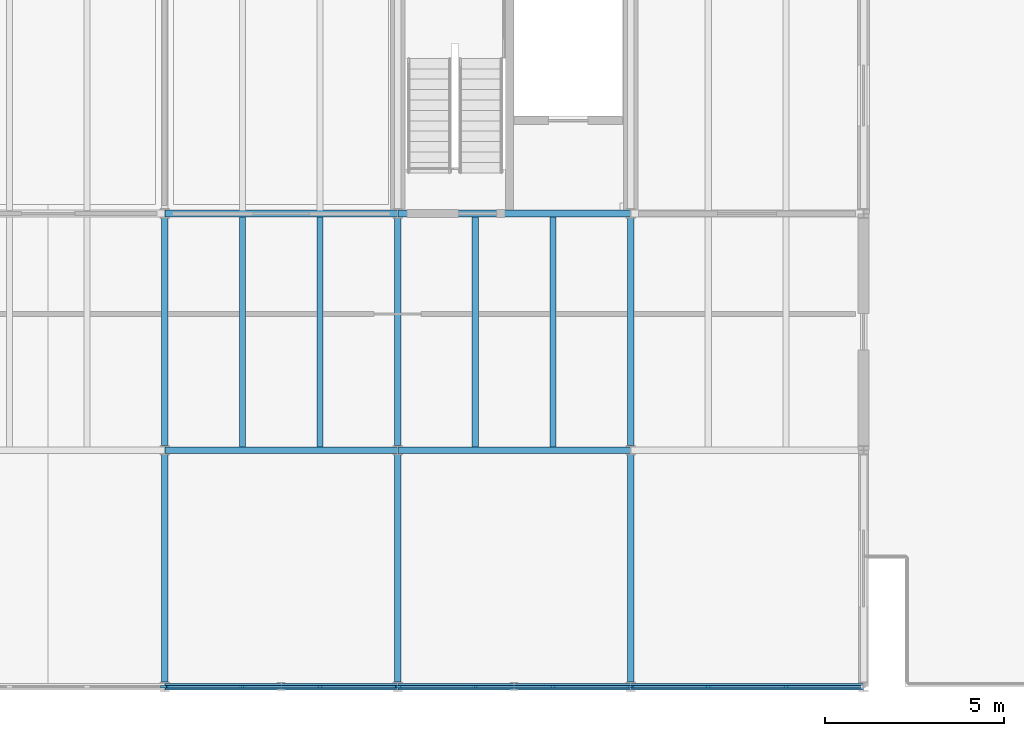
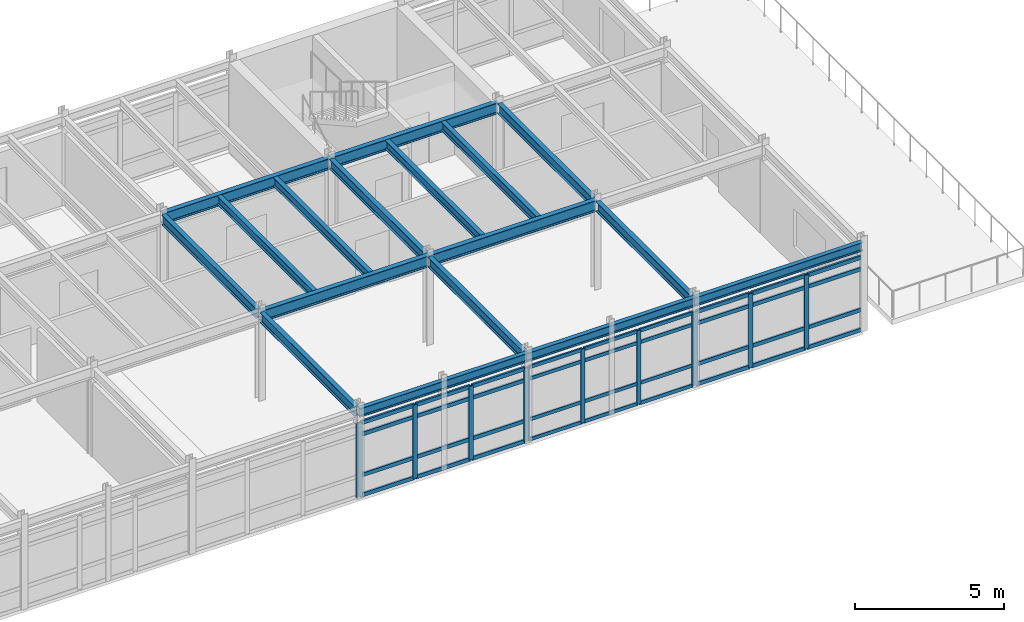
# One storey, part 11 of 26: 48 members, 17 beams, 4 elements without a shape of their own.
"""IFC4 building model written with IfcOpenShell, lengths in metres."""

from ifc_helpers import new_model, si_unit, direction, frame, origin, origin_2d, place, context, subcontext, project, spatial, rectangle, i_section, extrude, material, layer, layer_set, material_profile, profile_set, type_object, element, aggregate, save


model = new_model("IFC4")

# Units and contexts
model_context = context("Model", 3, precision=1e-05, world=origin(), true_north=direction((0.0, 1.0)))
body_context = subcontext(model_context, "Body", "Model", "MODEL_VIEW")
ifc_project = project(units=[si_unit("LENGTHUNIT", "METRE"), si_unit("AREAUNIT", "SQUARE_METRE"), si_unit("VOLUMEUNIT", "CUBIC_METRE"), si_unit("PLANEANGLEUNIT", "RADIAN"), si_unit("MASSUNIT", "GRAM", prefix="KILO")], contexts=[model_context])

# Site, building, storey
site_placement = place(None, origin())
site = spatial("IfcSite", under=ifc_project, at=site_placement, CompositionType="ELEMENT")
building_placement = place(site_placement, origin())
building = spatial("IfcBuilding", under=site, at=building_placement, Name="Trelmorton Wharf Fire Station", CompositionType="ELEMENT")
storey_placement = place(building_placement, frame((0.0, 0.0, 17.39990234375)))
storey = spatial("IfcBuildingStorey", under=building, at=storey_placement, Name="L04", CompositionType="ELEMENT", Elevation=17.39990234375)

# Beams
ifc_material_1 = material(Name="Steel Grade 350", Category="steel")
ifc_material_profile_1 = material_profile(ifc_material_1, i_section(OverallWidth=0.177978515625, OverallDepth=0.406005859375, WebThickness=0.0078125, FlangeThickness=0.0126953125, FilletRadius=0.011474609375, at=origin_2d()), Name="410UB59.7")
ifc_profile_set_1 = profile_set([ifc_material_profile_1], Name="Steel Grade 350")
beam_type_1 = type_object("IfcBeamType", Name="BM_410UB60", PredefinedType="BEAM", material=ifc_profile_set_1)
beam_1_placement = place(storey_placement, frame((136.5, 7.926025390625, 3.427001953125), z_axis=(0.0, 1.0, 0.0), x_axis=(-1.0, 0.0, 0.0)))
element("IfcBeam", 1, at=beam_1_placement, inside=storey, type_object=beam_type_1, Name="BM-L04-1112", PredefinedType="BEAM", context=body_context, shape_type="SweptSolid", body=[
    extrude(i_section(OverallWidth=0.177978515625, OverallDepth=0.406005859375, WebThickness=0.0078125, FlangeThickness=0.0126953125, FilletRadius=0.011474609375, at=origin_2d()), origin(), (0.0, 0.0, 1.0), 6.347900390625),
])
beam_2_placement = place(storey_placement, frame((136.5, 14.52587890625, 3.427001953125), z_axis=(0.0, 1.0, 0.0), x_axis=(-1.0, 0.0, 0.0)))
element("IfcBeam", 2, at=beam_2_placement, inside=storey, type_object=beam_type_1, Name="BM-L04-1113", PredefinedType="BEAM", context=body_context, shape_type="SweptSolid", body=[
    extrude(i_section(OverallWidth=0.177978515625, OverallDepth=0.406005859375, WebThickness=0.0078125, FlangeThickness=0.0126953125, FilletRadius=0.011474609375, at=origin_2d()), origin(), (0.0, 0.0, 1.0), 6.34814453125),
])
beam_3_placement = place(storey_placement, frame((143.0, 7.926025390625, 3.427001953125), z_axis=(0.0, 1.0, 0.0), x_axis=(-1.0, 0.0, 0.0)))
element("IfcBeam", 3, at=beam_3_placement, inside=storey, type_object=beam_type_1, Name="BM-L04-1115", PredefinedType="BEAM", context=body_context, shape_type="SweptSolid", body=[
    extrude(i_section(OverallWidth=0.177978515625, OverallDepth=0.406005859375, WebThickness=0.0078125, FlangeThickness=0.0126953125, FilletRadius=0.011474609375, at=origin_2d()), origin(), (0.0, 0.0, 1.0), 6.347900390625),
])
beam_4_placement = place(storey_placement, frame((143.0, 14.52587890625, 3.427001953125), z_axis=(0.0, 1.0, 0.0), x_axis=(-1.0, 0.0, 0.0)))
element("IfcBeam", 4, at=beam_4_placement, inside=storey, type_object=beam_type_1, Name="BM-L04-1116", PredefinedType="BEAM", context=body_context, shape_type="SweptSolid", body=[
    extrude(i_section(OverallWidth=0.177978515625, OverallDepth=0.406005859375, WebThickness=0.0078125, FlangeThickness=0.0126953125, FilletRadius=0.011474609375, at=origin_2d()), origin(), (0.0, 0.0, 1.0), 6.34814453125),
])
beam_5_placement = place(storey_placement, frame((149.5, 7.926025390625, 3.427001953125), z_axis=(0.0, 1.0, 0.0), x_axis=(-1.0, 0.0, 0.0)))
element("IfcBeam", 5, at=beam_5_placement, inside=storey, type_object=beam_type_1, Name="BM-L04-1118", PredefinedType="BEAM", context=body_context, shape_type="SweptSolid", body=[
    extrude(i_section(OverallWidth=0.177978515625, OverallDepth=0.406005859375, WebThickness=0.0078125, FlangeThickness=0.0126953125, FilletRadius=0.011474609375, at=origin_2d()), origin(), (0.0, 0.0, 1.0), 6.347900390625),
])
beam_6_placement = place(storey_placement, frame((149.5, 14.52587890625, 3.427001953125), z_axis=(0.0, 1.0, 0.0), x_axis=(-1.0, 0.0, 0.0)))
element("IfcBeam", 6, at=beam_6_placement, inside=storey, type_object=beam_type_1, Name="BM-L04-1119", PredefinedType="BEAM", context=body_context, shape_type="SweptSolid", body=[
    extrude(i_section(OverallWidth=0.177978515625, OverallDepth=0.406005859375, WebThickness=0.0078125, FlangeThickness=0.0126953125, FilletRadius=0.011474609375, at=origin_2d()), origin(), (0.0, 0.0, 1.0), 6.34814453125),
])
ifc_material_profile_2 = material_profile(ifc_material_1, i_section(OverallWidth=0.18994140625, OverallDepth=0.45703125, WebThickness=0.009033203125, FlangeThickness=0.014404296875, FilletRadius=0.011474609375, at=origin_2d()), Name="460UB74.6")
ifc_profile_set_2 = profile_set([ifc_material_profile_2], Name="Steel Grade 350")
beam_type_2 = type_object("IfcBeamType", Name="BM_460UB75", PredefinedType="BEAM", material=ifc_profile_set_2)
for number, where, z_axis, x_axis, name in (
    (7, (136.50390625, 14.39990234375, 3.401611328125), (1.0, 0.0, 0.0), (0.0, 1.0, 0.0), "BM-L04-1045"),
    (8, (143.00390625, 14.39990234375, 3.401611328125), (1.0, 0.0, 0.0), (0.0, 1.0, 0.0), "BM-L04-1046"),
    (9, (136.50390625, 21.0, 3.401611328125), (1.0, 0.0, 0.0), (0.0, 1.0, 0.0), "BM-L04-1052"),
    (10, (143.00390625, 21.0, 3.401611328125), (1.0, 0.0, 0.0), (0.0, 1.0, 0.0), "BM-L04-1053"),
):
    element("IfcBeam", number, at=place(storey_placement, frame(where, z_axis=z_axis, x_axis=x_axis)), inside=storey, type_object=beam_type_2, Name=name, PredefinedType="BEAM", context=body_context, shape_type="SweptSolid", body=[
        extrude(i_section(OverallWidth=0.18994140625, OverallDepth=0.45703125, WebThickness=0.009033203125, FlangeThickness=0.014404296875, FilletRadius=0.011474609375, at=origin_2d()), origin(), (0.0, 0.0, 1.0), 6.4921875),
    ])

# Curtain wall, member
ifc_material_2 = material(Name="Anodised aluminium AW-6063", Category="aluminium")
ifc_layer_1 = layer(ifc_material_2, 0.175048828125)
ifc_layer_set_1 = layer_set([ifc_layer_1], Name="Anodised aluminium AW-6063")
curtain_wall_type_1 = type_object("IfcCurtainWallType", Name="CW_CHIC_B", PredefinedType="USERDEFINED", material=ifc_layer_set_1)
curtain_wall_1_placement = place(storey_placement, origin())
curtain_wall_1 = element("IfcCurtainWall", 11, at=curtain_wall_1_placement, inside=storey, type_object=curtain_wall_type_1, Name="CW-V5-L04-075", ObjectType="CHICAGO BAY CURTAIN WALL", PredefinedType="USERDEFINED")
ifc_material_profile_3 = material_profile(ifc_material_2, rectangle(XDim=0.06494140625, YDim=0.159912109375, at=origin_2d()), Name="ALU-65x160")
ifc_profile_set_3 = profile_set([ifc_material_profile_3], Name="Anodised aluminium AW-6063")
member_type_1 = type_object("IfcMemberType", Name="CWM_65x160", PredefinedType="MULLION", material=ifc_profile_set_3)
member_1_placement = place(storey_placement, frame((136.465087890625, 7.800048828125, 0.0), z_axis=(0.0, 0.0, 1.0), x_axis=(0.0, -1.0, 0.0)))
member_1 = element("IfcMember", 12, at=member_1_placement, type_object=member_type_1, Name="CW2 mullion 1", PredefinedType="MULLION", context=body_context, shape_type="SweptSolid", body=[
    extrude(rectangle(XDim=0.06494140625, YDim=0.159912109375, at=origin_2d()), origin(), (0.0, 0.0, 1.0), 3.02001953125),
])
aggregate(curtain_wall_1, [member_1])

# Curtain wall, members
curtain_wall_2_placement = place(storey_placement, origin())
curtain_wall_2 = element("IfcCurtainWall", 13, at=curtain_wall_2_placement, inside=storey, type_object=curtain_wall_type_1, Name="CW-V5-L04-077", ObjectType="CHICAGO BAY CURTAIN WALL", PredefinedType="USERDEFINED")
member_2_placement = place(storey_placement, frame((149.465087890625, 7.800048828125, 0.0), z_axis=(0.0, 0.0, 1.0), x_axis=(0.0, -1.0, 0.0)))
member_2 = element("IfcMember", 14, at=member_2_placement, type_object=member_type_1, Name="CW2 mullion 1", PredefinedType="MULLION", context=body_context, shape_type="SweptSolid", body=[
    extrude(rectangle(XDim=0.06494140625, YDim=0.159912109375, at=origin_2d()), origin(), (0.0, 0.0, 1.0), 3.02001953125),
])
member_3_placement = place(storey_placement, frame((147.331787109375, 7.800048828125, 0.0), z_axis=(0.0, 0.0, 1.0), x_axis=(0.0, -1.0, 0.0)))
member_3 = element("IfcMember", 15, at=member_3_placement, type_object=member_type_1, Name="CW2 mullion 2", PredefinedType="MULLION", context=body_context, shape_type="SweptSolid", body=[
    extrude(rectangle(XDim=0.06494140625, YDim=0.159912109375, at=origin_2d()), origin(), (0.0, 0.0, 1.0), 3.02001953125),
])
member_4_placement = place(storey_placement, frame((145.168212890625, 7.800048828125, 0.0), z_axis=(0.0, 0.0, 1.0), x_axis=(0.0, -1.0, 0.0)))
member_4 = element("IfcMember", 16, at=member_4_placement, type_object=member_type_1, Name="CW2 mullion 3", PredefinedType="MULLION", context=body_context, shape_type="SweptSolid", body=[
    extrude(rectangle(XDim=0.06494140625, YDim=0.159912109375, at=origin_2d()), origin(), (0.0, 0.0, 1.0), 3.02001953125),
])
member_5_placement = place(storey_placement, frame((143.034912109375, 7.800048828125, 0.0), z_axis=(0.0, 0.0, 1.0), x_axis=(0.0, -1.0, 0.0)))
member_5 = element("IfcMember", 17, at=member_5_placement, type_object=member_type_1, Name="CW2 mullion 4", PredefinedType="MULLION", context=body_context, shape_type="SweptSolid", body=[
    extrude(rectangle(XDim=0.06494140625, YDim=0.159912109375, at=origin_2d()), origin(), (0.0, 0.0, 1.0), 3.02001953125),
])

ifc_layer_2 = layer(ifc_material_2, 0.159912109375)
ifc_layer_set_2 = layer_set([ifc_layer_2], Name="Anodised aluminium AW-6063")
curtain_wall_type_2 = type_object("IfcCurtainWallType", Name="CW_CHIC_A", PredefinedType="USERDEFINED", material=ifc_layer_set_2)
curtain_wall_3_placement = place(storey_placement, origin())
curtain_wall_3 = element("IfcCurtainWall", 18, at=curtain_wall_3_placement, inside=storey, type_object=curtain_wall_type_2, Name="CW-V5-L04-076", ObjectType="CHICAGO BAY CURTAIN WALL", PredefinedType="USERDEFINED")
ifc_material_profile_4 = material_profile(ifc_material_2, rectangle(XDim=0.074951171875, YDim=0.175048828125, at=origin_2d()), Name="ALU-75x175")
ifc_profile_set_4 = profile_set([ifc_material_profile_4], Name="Anodised aluminium AW-6063")
member_type_2 = type_object("IfcMemberType", Name="CWM_75x175", PredefinedType="MULLION", material=ifc_profile_set_4)
member_6_placement = place(storey_placement, frame((142.965087890625, 7.800048828125, 0.0), z_axis=(0.0, 0.0, 1.0), x_axis=(0.0, -1.0, 0.0)))
member_6 = element("IfcMember", 19, at=member_6_placement, type_object=member_type_2, Name="CW1 mullion 1", PredefinedType="MULLION", context=body_context, shape_type="SweptSolid", body=[
    extrude(rectangle(XDim=0.074951171875, YDim=0.175048828125, at=origin_2d()), origin(), (0.0, 0.0, 1.0), 3.02001953125),
])
member_7_placement = place(storey_placement, frame((140.831787109375, 7.800048828125, 0.0), z_axis=(0.0, 0.0, 1.0), x_axis=(0.0, -1.0, 0.0)))
member_7 = element("IfcMember", 20, at=member_7_placement, type_object=member_type_2, Name="CW1 mullion 2", PredefinedType="MULLION", context=body_context, shape_type="SweptSolid", body=[
    extrude(rectangle(XDim=0.074951171875, YDim=0.175048828125, at=origin_2d()), origin(), (0.0, 0.0, 1.0), 3.02001953125),
])
member_8_placement = place(storey_placement, frame((138.668212890625, 7.800048828125, 0.0), z_axis=(0.0, 0.0, 1.0), x_axis=(0.0, -1.0, 0.0)))
member_8 = element("IfcMember", 21, at=member_8_placement, type_object=member_type_2, Name="CW1 mullion 3", PredefinedType="MULLION", context=body_context, shape_type="SweptSolid", body=[
    extrude(rectangle(XDim=0.074951171875, YDim=0.175048828125, at=origin_2d()), origin(), (0.0, 0.0, 1.0), 3.02001953125),
])
member_9_placement = place(storey_placement, frame((136.534912109375, 7.800048828125, 0.0), z_axis=(0.0, 0.0, 1.0), x_axis=(0.0, -1.0, 0.0)))
member_9 = element("IfcMember", 22, at=member_9_placement, type_object=member_type_2, Name="CW1 mullion 4", PredefinedType="MULLION", context=body_context, shape_type="SweptSolid", body=[
    extrude(rectangle(XDim=0.074951171875, YDim=0.175048828125, at=origin_2d()), origin(), (0.0, 0.0, 1.0), 3.02001953125),
])

curtain_wall_4_placement = place(storey_placement, origin())
curtain_wall_4 = element("IfcCurtainWall", 23, at=curtain_wall_4_placement, inside=storey, type_object=curtain_wall_type_2, Name="CW-V5-L04-078", ObjectType="CHICAGO BAY CURTAIN WALL", PredefinedType="USERDEFINED")
member_10_placement = place(storey_placement, frame((153.831787109375, 7.800048828125, 0.0), z_axis=(0.0, 0.0, 1.0), x_axis=(0.0, -1.0, 0.0)))
member_10 = element("IfcMember", 24, at=member_10_placement, type_object=member_type_2, Name="CW1 mullion 2", PredefinedType="MULLION", context=body_context, shape_type="SweptSolid", body=[
    extrude(rectangle(XDim=0.074951171875, YDim=0.175048828125, at=origin_2d()), origin(), (0.0, 0.0, 1.0), 3.02001953125),
])
member_11_placement = place(storey_placement, frame((151.668212890625, 7.800048828125, 0.0), z_axis=(0.0, 0.0, 1.0), x_axis=(0.0, -1.0, 0.0)))
member_11 = element("IfcMember", 25, at=member_11_placement, type_object=member_type_2, Name="CW1 mullion 3", PredefinedType="MULLION", context=body_context, shape_type="SweptSolid", body=[
    extrude(rectangle(XDim=0.074951171875, YDim=0.175048828125, at=origin_2d()), origin(), (0.0, 0.0, 1.0), 3.02001953125),
])
member_12_placement = place(storey_placement, frame((149.534912109375, 7.800048828125, 0.0), z_axis=(0.0, 0.0, 1.0), x_axis=(0.0, -1.0, 0.0)))
member_12 = element("IfcMember", 26, at=member_12_placement, type_object=member_type_2, Name="CW1 mullion 4", PredefinedType="MULLION", context=body_context, shape_type="SweptSolid", body=[
    extrude(rectangle(XDim=0.074951171875, YDim=0.175048828125, at=origin_2d()), origin(), (0.0, 0.0, 1.0), 3.02001953125),
])

# Member
ifc_material_profile_5 = material_profile(ifc_material_2, rectangle(XDim=0.06494140625, YDim=0.139892578125, at=origin_2d()), Name="ALU-65x140")
ifc_profile_set_5 = profile_set([ifc_material_profile_5], Name="Anodised aluminium AW-6063")
member_type_3 = type_object("IfcMemberType", Name="CWT_65x140", PredefinedType="USERDEFINED", material=ifc_profile_set_5)
member_13_placement = place(storey_placement, frame((149.43505859375, 7.800048828125, 0.030029296875), z_axis=(-1.0, 0.0, 0.0), x_axis=(0.0, -1.0, 0.0)))
member_13 = element("IfcMember", 27, at=member_13_placement, type_object=member_type_3, Name="CW2 transom 1.1", ObjectType="TRANSOM", PredefinedType="USERDEFINED", context=body_context, shape_type="SweptSolid", body=[
    extrude(rectangle(XDim=0.06494140625, YDim=0.139892578125, at=origin_2d()), origin(), (0.0, 0.0, 1.0), 2.073486328125),
])

member_14_placement = place(storey_placement, frame((149.43505859375, 7.800048828125, 0.85009765625), z_axis=(-1.0, 0.0, 0.0), x_axis=(0.0, -1.0, 0.0)))
member_14 = element("IfcMember", 28, at=member_14_placement, type_object=member_type_3, Name="CW2 transom 1.2", ObjectType="TRANSOM", PredefinedType="USERDEFINED", context=body_context, shape_type="SweptSolid", body=[
    extrude(rectangle(XDim=0.06494140625, YDim=0.139892578125, at=origin_2d()), origin(), (0.0, 0.0, 1.0), 2.073486328125),
])

member_15_placement = place(storey_placement, frame((149.43505859375, 7.800048828125, 2.52001953125), z_axis=(-1.0, 0.0, 0.0), x_axis=(0.0, -1.0, 0.0)))
member_15 = element("IfcMember", 29, at=member_15_placement, type_object=member_type_3, Name="CW2 transom 1.3", ObjectType="TRANSOM", PredefinedType="USERDEFINED", context=body_context, shape_type="SweptSolid", body=[
    extrude(rectangle(XDim=0.06494140625, YDim=0.139892578125, at=origin_2d()), origin(), (0.0, 0.0, 1.0), 2.073486328125),
])

member_16_placement = place(storey_placement, frame((149.43505859375, 7.800048828125, 2.989990234375), z_axis=(-1.0, 0.0, 0.0), x_axis=(0.0, -1.0, 0.0)))
member_16 = element("IfcMember", 30, at=member_16_placement, type_object=member_type_3, Name="CW2 transom 1.4", ObjectType="TRANSOM", PredefinedType="USERDEFINED", context=body_context, shape_type="SweptSolid", body=[
    extrude(rectangle(XDim=0.06494140625, YDim=0.139892578125, at=origin_2d()), origin(), (0.0, 0.0, 1.0), 2.073486328125),
])

member_17_placement = place(storey_placement, frame((147.3017578125, 7.800048828125, 0.030029296875), z_axis=(-1.0, 0.0, 0.0), x_axis=(0.0, -1.0, 0.0)))
member_17 = element("IfcMember", 31, at=member_17_placement, type_object=member_type_3, Name="CW2 transom 2.1", ObjectType="TRANSOM", PredefinedType="USERDEFINED", context=body_context, shape_type="SweptSolid", body=[
    extrude(rectangle(XDim=0.06494140625, YDim=0.139892578125, at=origin_2d()), origin(), (0.0, 0.0, 1.0), 2.103515625),
])

member_18_placement = place(storey_placement, frame((147.3017578125, 7.800048828125, 0.85009765625), z_axis=(-1.0, 0.0, 0.0), x_axis=(0.0, -1.0, 0.0)))
member_18 = element("IfcMember", 32, at=member_18_placement, type_object=member_type_3, Name="CW2 transom 2.2", ObjectType="TRANSOM", PredefinedType="USERDEFINED", context=body_context, shape_type="SweptSolid", body=[
    extrude(rectangle(XDim=0.06494140625, YDim=0.139892578125, at=origin_2d()), origin(), (0.0, 0.0, 1.0), 2.103515625),
])

member_19_placement = place(storey_placement, frame((147.3017578125, 7.800048828125, 2.52001953125), z_axis=(-1.0, 0.0, 0.0), x_axis=(0.0, -1.0, 0.0)))
member_19 = element("IfcMember", 33, at=member_19_placement, type_object=member_type_3, Name="CW2 transom 2.3", ObjectType="TRANSOM", PredefinedType="USERDEFINED", context=body_context, shape_type="SweptSolid", body=[
    extrude(rectangle(XDim=0.06494140625, YDim=0.139892578125, at=origin_2d()), origin(), (0.0, 0.0, 1.0), 2.103515625),
])

member_20_placement = place(storey_placement, frame((147.3017578125, 7.800048828125, 2.989990234375), z_axis=(-1.0, 0.0, 0.0), x_axis=(0.0, -1.0, 0.0)))
member_20 = element("IfcMember", 34, at=member_20_placement, type_object=member_type_3, Name="CW2 transom 2.4", ObjectType="TRANSOM", PredefinedType="USERDEFINED", context=body_context, shape_type="SweptSolid", body=[
    extrude(rectangle(XDim=0.06494140625, YDim=0.139892578125, at=origin_2d()), origin(), (0.0, 0.0, 1.0), 2.103515625),
])

member_21_placement = place(storey_placement, frame((145.138427734375, 7.800048828125, 0.030029296875), z_axis=(-1.0, 0.0, 0.0), x_axis=(0.0, -1.0, 0.0)))
member_21 = element("IfcMember", 35, at=member_21_placement, type_object=member_type_3, Name="CW2 transom 3.1", ObjectType="TRANSOM", PredefinedType="USERDEFINED", context=body_context, shape_type="SweptSolid", body=[
    extrude(rectangle(XDim=0.06494140625, YDim=0.139892578125, at=origin_2d()), origin(), (0.0, 0.0, 1.0), 2.073486328125),
])

member_22_placement = place(storey_placement, frame((145.138427734375, 7.800048828125, 0.85009765625), z_axis=(-1.0, 0.0, 0.0), x_axis=(0.0, -1.0, 0.0)))
member_22 = element("IfcMember", 36, at=member_22_placement, type_object=member_type_3, Name="CW2 transom 3.2", ObjectType="TRANSOM", PredefinedType="USERDEFINED", context=body_context, shape_type="SweptSolid", body=[
    extrude(rectangle(XDim=0.06494140625, YDim=0.139892578125, at=origin_2d()), origin(), (0.0, 0.0, 1.0), 2.073486328125),
])

member_23_placement = place(storey_placement, frame((145.138427734375, 7.800048828125, 2.52001953125), z_axis=(-1.0, 0.0, 0.0), x_axis=(0.0, -1.0, 0.0)))
member_23 = element("IfcMember", 37, at=member_23_placement, type_object=member_type_3, Name="CW2 transom 3.3", ObjectType="TRANSOM", PredefinedType="USERDEFINED", context=body_context, shape_type="SweptSolid", body=[
    extrude(rectangle(XDim=0.06494140625, YDim=0.139892578125, at=origin_2d()), origin(), (0.0, 0.0, 1.0), 2.073486328125),
])

member_24_placement = place(storey_placement, frame((145.138427734375, 7.800048828125, 2.989990234375), z_axis=(-1.0, 0.0, 0.0), x_axis=(0.0, -1.0, 0.0)))
member_24 = element("IfcMember", 38, at=member_24_placement, type_object=member_type_3, Name="CW2 transom 3.4", ObjectType="TRANSOM", PredefinedType="USERDEFINED", context=body_context, shape_type="SweptSolid", body=[
    extrude(rectangle(XDim=0.06494140625, YDim=0.139892578125, at=origin_2d()), origin(), (0.0, 0.0, 1.0), 2.073486328125),
])

aggregate(curtain_wall_2, [member_2, member_3, member_4, member_5, member_13, member_14, member_15, member_16, member_17, member_18, member_19, member_20, member_21, member_22, member_23, member_24])

ifc_material_profile_6 = material_profile(ifc_material_2, rectangle(XDim=0.074951171875, YDim=0.155029296875, at=origin_2d()), Name="ALU-75x155")
ifc_profile_set_6 = profile_set([ifc_material_profile_6], Name="Anodised aluminium AW-6063")
member_type_4 = type_object("IfcMemberType", Name="CWT_75x155", PredefinedType="USERDEFINED", material=ifc_profile_set_6)
member_25_placement = place(storey_placement, frame((142.93505859375, 7.800048828125, 0.030029296875), z_axis=(-1.0, 0.0, 0.0), x_axis=(0.0, -1.0, 0.0)))
member_25 = element("IfcMember", 39, at=member_25_placement, type_object=member_type_4, Name="CW1 transom 1.1", ObjectType="TRANSOM", PredefinedType="USERDEFINED", context=body_context, shape_type="SweptSolid", body=[
    extrude(rectangle(XDim=0.074951171875, YDim=0.155029296875, at=origin_2d()), origin(), (0.0, 0.0, 1.0), 2.073486328125),
])

member_26_placement = place(storey_placement, frame((142.93505859375, 7.800048828125, 0.85009765625), z_axis=(-1.0, 0.0, 0.0), x_axis=(0.0, -1.0, 0.0)))
member_26 = element("IfcMember", 40, at=member_26_placement, type_object=member_type_4, Name="CW1 transom 1.2", ObjectType="TRANSOM", PredefinedType="USERDEFINED", context=body_context, shape_type="SweptSolid", body=[
    extrude(rectangle(XDim=0.074951171875, YDim=0.155029296875, at=origin_2d()), origin(), (0.0, 0.0, 1.0), 2.073486328125),
])

member_27_placement = place(storey_placement, frame((142.93505859375, 7.800048828125, 2.52001953125), z_axis=(-1.0, 0.0, 0.0), x_axis=(0.0, -1.0, 0.0)))
member_27 = element("IfcMember", 41, at=member_27_placement, type_object=member_type_4, Name="CW1 transom 1.3", ObjectType="TRANSOM", PredefinedType="USERDEFINED", context=body_context, shape_type="SweptSolid", body=[
    extrude(rectangle(XDim=0.074951171875, YDim=0.155029296875, at=origin_2d()), origin(), (0.0, 0.0, 1.0), 2.073486328125),
])

member_28_placement = place(storey_placement, frame((142.93505859375, 7.800048828125, 2.989990234375), z_axis=(-1.0, 0.0, 0.0), x_axis=(0.0, -1.0, 0.0)))
member_28 = element("IfcMember", 42, at=member_28_placement, type_object=member_type_4, Name="CW1 transom 1.4", ObjectType="TRANSOM", PredefinedType="USERDEFINED", context=body_context, shape_type="SweptSolid", body=[
    extrude(rectangle(XDim=0.074951171875, YDim=0.155029296875, at=origin_2d()), origin(), (0.0, 0.0, 1.0), 2.073486328125),
])

member_29_placement = place(storey_placement, frame((140.8017578125, 7.800048828125, 0.030029296875), z_axis=(-1.0, 0.0, 0.0), x_axis=(0.0, -1.0, 0.0)))
member_29 = element("IfcMember", 43, at=member_29_placement, type_object=member_type_4, Name="CW1 transom 2.1", ObjectType="TRANSOM", PredefinedType="USERDEFINED", context=body_context, shape_type="SweptSolid", body=[
    extrude(rectangle(XDim=0.074951171875, YDim=0.155029296875, at=origin_2d()), origin(), (0.0, 0.0, 1.0), 2.103515625),
])

member_30_placement = place(storey_placement, frame((140.8017578125, 7.800048828125, 0.85009765625), z_axis=(-1.0, 0.0, 0.0), x_axis=(0.0, -1.0, 0.0)))
member_30 = element("IfcMember", 44, at=member_30_placement, type_object=member_type_4, Name="CW1 transom 2.2", ObjectType="TRANSOM", PredefinedType="USERDEFINED", context=body_context, shape_type="SweptSolid", body=[
    extrude(rectangle(XDim=0.074951171875, YDim=0.155029296875, at=origin_2d()), origin(), (0.0, 0.0, 1.0), 2.103515625),
])

member_31_placement = place(storey_placement, frame((140.8017578125, 7.800048828125, 2.52001953125), z_axis=(-1.0, 0.0, 0.0), x_axis=(0.0, -1.0, 0.0)))
member_31 = element("IfcMember", 45, at=member_31_placement, type_object=member_type_4, Name="CW1 transom 2.3", ObjectType="TRANSOM", PredefinedType="USERDEFINED", context=body_context, shape_type="SweptSolid", body=[
    extrude(rectangle(XDim=0.074951171875, YDim=0.155029296875, at=origin_2d()), origin(), (0.0, 0.0, 1.0), 2.103515625),
])

member_32_placement = place(storey_placement, frame((140.8017578125, 7.800048828125, 2.989990234375), z_axis=(-1.0, 0.0, 0.0), x_axis=(0.0, -1.0, 0.0)))
member_32 = element("IfcMember", 46, at=member_32_placement, type_object=member_type_4, Name="CW1 transom 2.4", ObjectType="TRANSOM", PredefinedType="USERDEFINED", context=body_context, shape_type="SweptSolid", body=[
    extrude(rectangle(XDim=0.074951171875, YDim=0.155029296875, at=origin_2d()), origin(), (0.0, 0.0, 1.0), 2.103515625),
])

member_33_placement = place(storey_placement, frame((138.638427734375, 7.800048828125, 0.030029296875), z_axis=(-1.0, 0.0, 0.0), x_axis=(0.0, -1.0, 0.0)))
member_33 = element("IfcMember", 47, at=member_33_placement, type_object=member_type_4, Name="CW1 transom 3.1", ObjectType="TRANSOM", PredefinedType="USERDEFINED", context=body_context, shape_type="SweptSolid", body=[
    extrude(rectangle(XDim=0.074951171875, YDim=0.155029296875, at=origin_2d()), origin(), (0.0, 0.0, 1.0), 2.073486328125),
])

member_34_placement = place(storey_placement, frame((138.638427734375, 7.800048828125, 0.85009765625), z_axis=(-1.0, 0.0, 0.0), x_axis=(0.0, -1.0, 0.0)))
member_34 = element("IfcMember", 48, at=member_34_placement, type_object=member_type_4, Name="CW1 transom 3.2", ObjectType="TRANSOM", PredefinedType="USERDEFINED", context=body_context, shape_type="SweptSolid", body=[
    extrude(rectangle(XDim=0.074951171875, YDim=0.155029296875, at=origin_2d()), origin(), (0.0, 0.0, 1.0), 2.073486328125),
])

member_35_placement = place(storey_placement, frame((138.638427734375, 7.800048828125, 2.52001953125), z_axis=(-1.0, 0.0, 0.0), x_axis=(0.0, -1.0, 0.0)))
member_35 = element("IfcMember", 49, at=member_35_placement, type_object=member_type_4, Name="CW1 transom 3.3", ObjectType="TRANSOM", PredefinedType="USERDEFINED", context=body_context, shape_type="SweptSolid", body=[
    extrude(rectangle(XDim=0.074951171875, YDim=0.155029296875, at=origin_2d()), origin(), (0.0, 0.0, 1.0), 2.073486328125),
])

member_36_placement = place(storey_placement, frame((138.638427734375, 7.800048828125, 2.989990234375), z_axis=(-1.0, 0.0, 0.0), x_axis=(0.0, -1.0, 0.0)))
member_36 = element("IfcMember", 50, at=member_36_placement, type_object=member_type_4, Name="CW1 transom 3.4", ObjectType="TRANSOM", PredefinedType="USERDEFINED", context=body_context, shape_type="SweptSolid", body=[
    extrude(rectangle(XDim=0.074951171875, YDim=0.155029296875, at=origin_2d()), origin(), (0.0, 0.0, 1.0), 2.073486328125),
])

aggregate(curtain_wall_3, [member_6, member_7, member_8, member_9, member_25, member_26, member_27, member_28, member_29, member_30, member_31, member_32, member_33, member_34, member_35, member_36])

member_37_placement = place(storey_placement, frame((155.93505859375, 7.800048828125, 0.030029296875), z_axis=(-1.0, 0.0, 0.0), x_axis=(0.0, -1.0, 0.0)))
member_37 = element("IfcMember", 51, at=member_37_placement, type_object=member_type_4, Name="CW1 transom 1.1", ObjectType="TRANSOM", PredefinedType="USERDEFINED", context=body_context, shape_type="SweptSolid", body=[
    extrude(rectangle(XDim=0.074951171875, YDim=0.155029296875, at=origin_2d()), origin(), (0.0, 0.0, 1.0), 2.073486328125),
])

member_38_placement = place(storey_placement, frame((155.93505859375, 7.800048828125, 0.85009765625), z_axis=(-1.0, 0.0, 0.0), x_axis=(0.0, -1.0, 0.0)))
member_38 = element("IfcMember", 52, at=member_38_placement, type_object=member_type_4, Name="CW1 transom 1.2", ObjectType="TRANSOM", PredefinedType="USERDEFINED", context=body_context, shape_type="SweptSolid", body=[
    extrude(rectangle(XDim=0.074951171875, YDim=0.155029296875, at=origin_2d()), origin(), (0.0, 0.0, 1.0), 2.073486328125),
])

member_39_placement = place(storey_placement, frame((155.93505859375, 7.800048828125, 2.52001953125), z_axis=(-1.0, 0.0, 0.0), x_axis=(0.0, -1.0, 0.0)))
member_39 = element("IfcMember", 53, at=member_39_placement, type_object=member_type_4, Name="CW1 transom 1.3", ObjectType="TRANSOM", PredefinedType="USERDEFINED", context=body_context, shape_type="SweptSolid", body=[
    extrude(rectangle(XDim=0.074951171875, YDim=0.155029296875, at=origin_2d()), origin(), (0.0, 0.0, 1.0), 2.073486328125),
])

member_40_placement = place(storey_placement, frame((155.93505859375, 7.800048828125, 2.989990234375), z_axis=(-1.0, 0.0, 0.0), x_axis=(0.0, -1.0, 0.0)))
member_40 = element("IfcMember", 54, at=member_40_placement, type_object=member_type_4, Name="CW1 transom 1.4", ObjectType="TRANSOM", PredefinedType="USERDEFINED", context=body_context, shape_type="SweptSolid", body=[
    extrude(rectangle(XDim=0.074951171875, YDim=0.155029296875, at=origin_2d()), origin(), (0.0, 0.0, 1.0), 2.073486328125),
])

member_41_placement = place(storey_placement, frame((153.8017578125, 7.800048828125, 0.030029296875), z_axis=(-1.0, 0.0, 0.0), x_axis=(0.0, -1.0, 0.0)))
member_41 = element("IfcMember", 55, at=member_41_placement, type_object=member_type_4, Name="CW1 transom 2.1", ObjectType="TRANSOM", PredefinedType="USERDEFINED", context=body_context, shape_type="SweptSolid", body=[
    extrude(rectangle(XDim=0.074951171875, YDim=0.155029296875, at=origin_2d()), origin(), (0.0, 0.0, 1.0), 2.103515625),
])

member_42_placement = place(storey_placement, frame((153.8017578125, 7.800048828125, 0.85009765625), z_axis=(-1.0, 0.0, 0.0), x_axis=(0.0, -1.0, 0.0)))
member_42 = element("IfcMember", 56, at=member_42_placement, type_object=member_type_4, Name="CW1 transom 2.2", ObjectType="TRANSOM", PredefinedType="USERDEFINED", context=body_context, shape_type="SweptSolid", body=[
    extrude(rectangle(XDim=0.074951171875, YDim=0.155029296875, at=origin_2d()), origin(), (0.0, 0.0, 1.0), 2.103515625),
])

member_43_placement = place(storey_placement, frame((153.8017578125, 7.800048828125, 2.52001953125), z_axis=(-1.0, 0.0, 0.0), x_axis=(0.0, -1.0, 0.0)))
member_43 = element("IfcMember", 57, at=member_43_placement, type_object=member_type_4, Name="CW1 transom 2.3", ObjectType="TRANSOM", PredefinedType="USERDEFINED", context=body_context, shape_type="SweptSolid", body=[
    extrude(rectangle(XDim=0.074951171875, YDim=0.155029296875, at=origin_2d()), origin(), (0.0, 0.0, 1.0), 2.103515625),
])

member_44_placement = place(storey_placement, frame((153.8017578125, 7.800048828125, 2.989990234375), z_axis=(-1.0, 0.0, 0.0), x_axis=(0.0, -1.0, 0.0)))
member_44 = element("IfcMember", 58, at=member_44_placement, type_object=member_type_4, Name="CW1 transom 2.4", ObjectType="TRANSOM", PredefinedType="USERDEFINED", context=body_context, shape_type="SweptSolid", body=[
    extrude(rectangle(XDim=0.074951171875, YDim=0.155029296875, at=origin_2d()), origin(), (0.0, 0.0, 1.0), 2.103515625),
])

member_45_placement = place(storey_placement, frame((151.638427734375, 7.800048828125, 0.030029296875), z_axis=(-1.0, 0.0, 0.0), x_axis=(0.0, -1.0, 0.0)))
member_45 = element("IfcMember", 59, at=member_45_placement, type_object=member_type_4, Name="CW1 transom 3.1", ObjectType="TRANSOM", PredefinedType="USERDEFINED", context=body_context, shape_type="SweptSolid", body=[
    extrude(rectangle(XDim=0.074951171875, YDim=0.155029296875, at=origin_2d()), origin(), (0.0, 0.0, 1.0), 2.073486328125),
])

member_46_placement = place(storey_placement, frame((151.638427734375, 7.800048828125, 0.85009765625), z_axis=(-1.0, 0.0, 0.0), x_axis=(0.0, -1.0, 0.0)))
member_46 = element("IfcMember", 60, at=member_46_placement, type_object=member_type_4, Name="CW1 transom 3.2", ObjectType="TRANSOM", PredefinedType="USERDEFINED", context=body_context, shape_type="SweptSolid", body=[
    extrude(rectangle(XDim=0.074951171875, YDim=0.155029296875, at=origin_2d()), origin(), (0.0, 0.0, 1.0), 2.073486328125),
])

member_47_placement = place(storey_placement, frame((151.638427734375, 7.800048828125, 2.52001953125), z_axis=(-1.0, 0.0, 0.0), x_axis=(0.0, -1.0, 0.0)))
member_47 = element("IfcMember", 61, at=member_47_placement, type_object=member_type_4, Name="CW1 transom 3.3", ObjectType="TRANSOM", PredefinedType="USERDEFINED", context=body_context, shape_type="SweptSolid", body=[
    extrude(rectangle(XDim=0.074951171875, YDim=0.155029296875, at=origin_2d()), origin(), (0.0, 0.0, 1.0), 2.073486328125),
])

member_48_placement = place(storey_placement, frame((151.638427734375, 7.800048828125, 2.989990234375), z_axis=(-1.0, 0.0, 0.0), x_axis=(0.0, -1.0, 0.0)))
member_48 = element("IfcMember", 62, at=member_48_placement, type_object=member_type_4, Name="CW1 transom 3.4", ObjectType="TRANSOM", PredefinedType="USERDEFINED", context=body_context, shape_type="SweptSolid", body=[
    extrude(rectangle(XDim=0.074951171875, YDim=0.155029296875, at=origin_2d()), origin(), (0.0, 0.0, 1.0), 2.073486328125),
])

aggregate(curtain_wall_4, [member_10, member_11, member_12, member_37, member_38, member_39, member_40, member_41, member_42, member_43, member_44, member_45, member_46, member_47, member_48])

# Beams
ifc_material_profile_7 = material_profile(ifc_material_1, i_section(OverallWidth=0.172119140625, OverallDepth=0.35888671875, WebThickness=0.008056640625, FlangeThickness=0.012939453125, FilletRadius=0.011474609375, at=origin_2d()), Name="360UB56.7")
ifc_profile_set_7 = profile_set([ifc_material_profile_7], Name="Steel Grade 350")
beam_type_3 = type_object("IfcBeamType", Name="JS_360UB57", PredefinedType="JOIST", material=ifc_profile_set_7)
for number, where, z_axis, x_axis, name in (
    (63, (138.666748046875, 14.489990234375, 3.45068359375), (0.0, 1.0, 0.0), (-1.0, 0.0, 0.0), "JS-L04-0401"),
    (64, (140.833251953125, 14.489990234375, 3.45068359375), (0.0, 1.0, 0.0), (-1.0, 0.0, 0.0), "JS-L04-0402"),
    (65, (145.166748046875, 14.489990234375, 3.45068359375), (0.0, 1.0, 0.0), (-1.0, 0.0, 0.0), "JS-L04-0405"),
    (66, (147.333251953125, 14.489990234375, 3.45068359375), (0.0, 1.0, 0.0), (-1.0, 0.0, 0.0), "JS-L04-0406"),
):
    element("IfcBeam", number, at=place(storey_placement, frame(where, z_axis=z_axis, x_axis=x_axis)), inside=storey, type_object=beam_type_3, Name=name, PredefinedType="JOIST", context=body_context, shape_type="SweptSolid", body=[
        extrude(i_section(OverallWidth=0.172119140625, OverallDepth=0.35888671875, WebThickness=0.008056640625, FlangeThickness=0.012939453125, FilletRadius=0.011474609375, at=origin_2d()), origin(), (0.0, 0.0, 1.0), 6.419921875),
    ])
ifc_material_profile_8 = material_profile(ifc_material_1, i_section(OverallWidth=0.1708984375, OverallDepth=0.35595703125, WebThickness=0.00732421875, FlangeThickness=0.011474609375, FilletRadius=0.011474609375, at=origin_2d()), Name="360UB50.7")
ifc_profile_set_8 = profile_set([ifc_material_profile_8], Name="Steel Grade 350")
beam_type_4 = type_object("IfcBeamType", Name="SP_360UB51", PredefinedType="SPANDREL", material=ifc_profile_set_8)
for number, where, z_axis, x_axis, name in (
    (67, (136.50390625, 7.800048828125, 3.4521484375), (1.0, 0.0, 0.0), (0.0, 1.0, 0.0), "BM-L04-1038"),
    (68, (143.00390625, 7.800048828125, 3.4521484375), (1.0, 0.0, 0.0), (0.0, 1.0, 0.0), "BM-L04-1039"),
    (69, (149.50390625, 7.800048828125, 3.4521484375), (1.0, 0.0, 0.0), (0.0, 1.0, 0.0), "BM-L04-1040"),
):
    element("IfcBeam", number, at=place(storey_placement, frame(where, z_axis=z_axis, x_axis=x_axis)), inside=storey, type_object=beam_type_4, Name=name, PredefinedType="SPANDREL", context=body_context, shape_type="SweptSolid", body=[
        extrude(i_section(OverallWidth=0.1708984375, OverallDepth=0.35595703125, WebThickness=0.00732421875, FlangeThickness=0.011474609375, FilletRadius=0.011474609375, at=origin_2d()), origin(), (0.0, 0.0, 1.0), 6.4921875),
    ])

save(model, "model.ifc")
